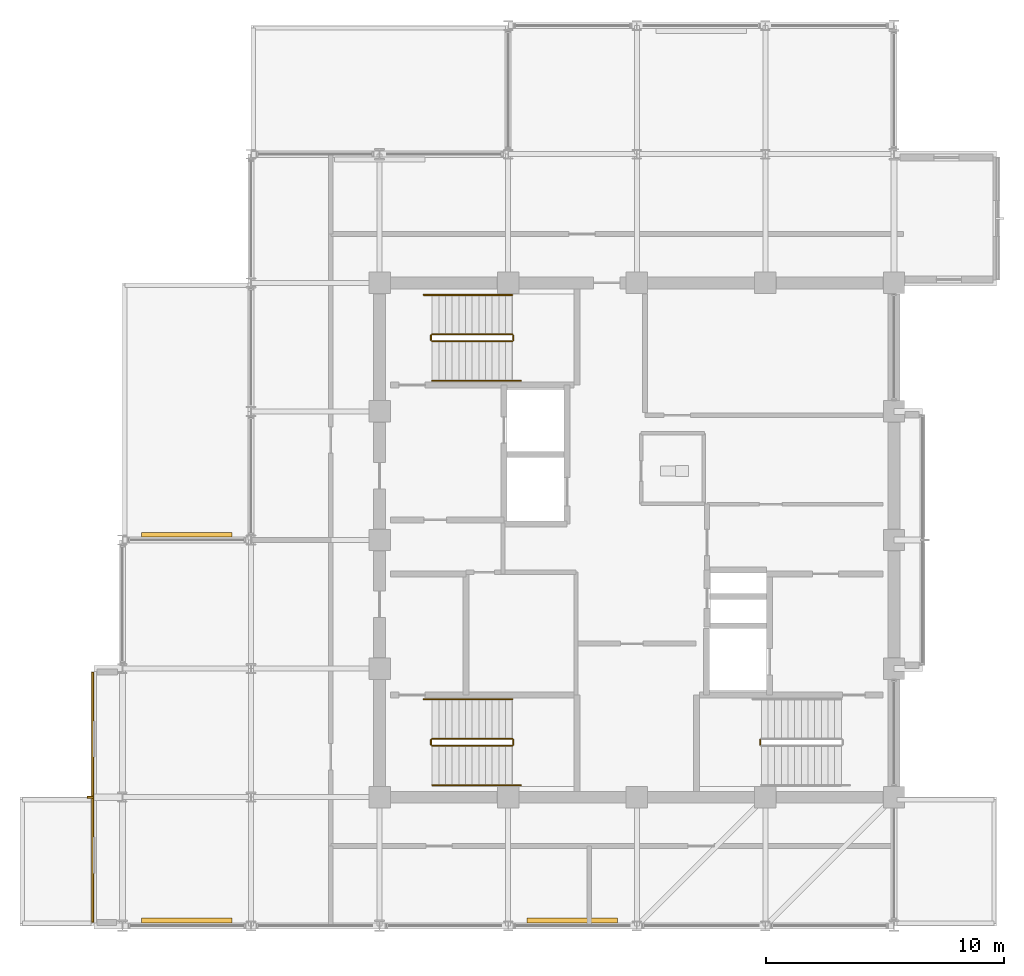
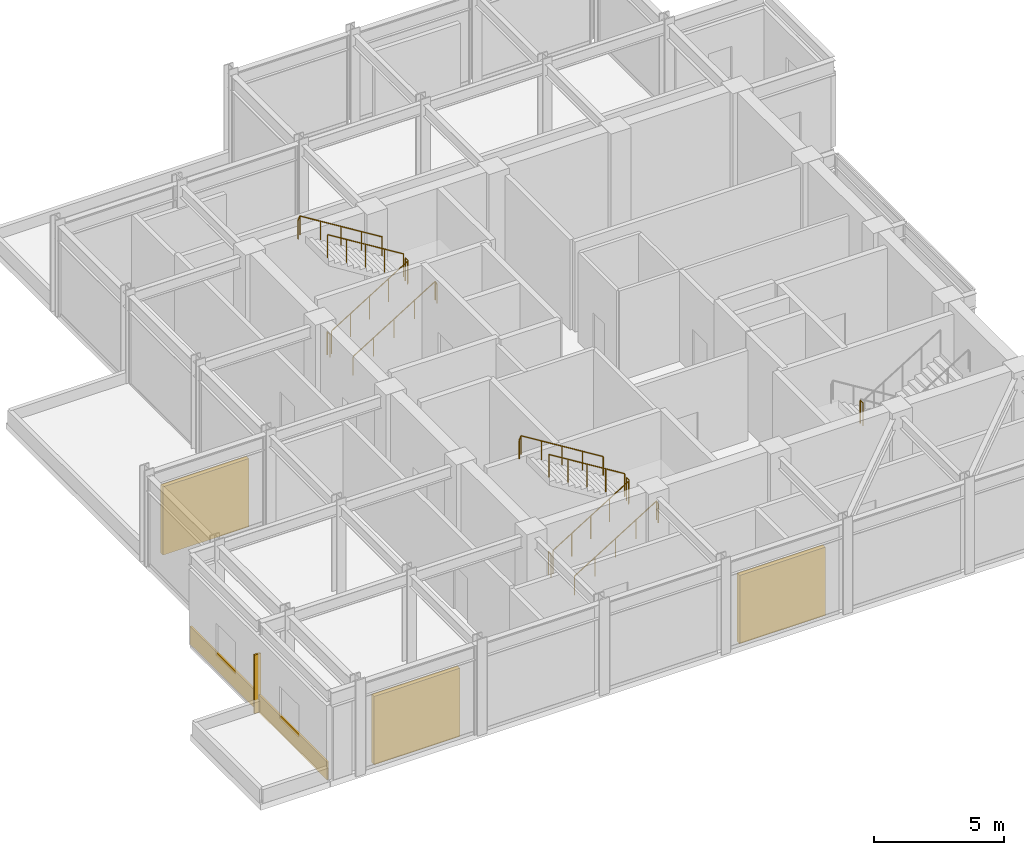
# One storey, part 18 of 21: 13 railings, 4 shading devices, 1 covering.
"""IFC4 building model written with IfcOpenShell, lengths in metres."""

from ifc_helpers import new_model, si_unit, direction, frame, origin, origin_2d, place, context, subcontext, project, spatial, rectangle, circle, extrude, material, layer, layer_set, type_object, element, save


model = new_model("IFC4")

# Units and contexts
model_context = context("Model", 3, precision=1e-05, world=origin(), true_north=direction((0.0, 1.0)))
body_context = subcontext(model_context, "Body", "Model", "MODEL_VIEW")
ifc_project = project(units=[si_unit("LENGTHUNIT", "METRE"), si_unit("AREAUNIT", "SQUARE_METRE"), si_unit("VOLUMEUNIT", "CUBIC_METRE"), si_unit("PLANEANGLEUNIT", "RADIAN"), si_unit("MASSUNIT", "GRAM", prefix="KILO")], contexts=[model_context])

# Site, building, storey
site_placement = place(None, origin())
site = spatial("IfcSite", under=ifc_project, at=site_placement, CompositionType="ELEMENT")
building_placement = place(site_placement, origin())
building = spatial("IfcBuilding", under=site, at=building_placement, Name="Surkhivell Harbour Commons", CompositionType="ELEMENT")
storey_placement = place(building_placement, frame((0.0, 0.0, 346.5)))
storey = spatial("IfcBuildingStorey", under=building, at=storey_placement, Name="L90", CompositionType="ELEMENT", Elevation=346.5)

# Covering
ifc_material_1 = material(Name="Vermilion-coral enamelled aluminium cassette panel", Category="aluminium")
ifc_layer = layer(ifc_material_1, 0.074951171875)
ifc_layer_set = layer_set([ifc_layer], Name="Vermilion-coral enamelled aluminium cassette panel")
covering_type = type_object("IfcCoveringType", Name="COV-CLAD-VER", PredefinedType="CLADDING", material=ifc_layer_set)
covering_placement = place(storey_placement, frame((-22.840087890625, -10.800048828125, 0.0), z_axis=(0.0, 0.0, 1.0), x_axis=(1.0, 0.0, 0.0)))
element("IfcCovering", 1, at=covering_placement, inside=storey, type_object=covering_type, Name="L90 Coloured-Panel Box Spandrel Cassette 03", PredefinedType="CLADDING", context=body_context, shape_type="SweptSolid", body=[
    extrude(rectangle(XDim=0.080078125, YDim=10.5, at=origin_2d()), origin(), (0.0, 0.0, 1.0), 0.840087890625),
])

# Railings
ifc_material_2 = material(Name="Galvanised and painted steel S355 guard rail", Category="steel")
railing_type_1 = type_object("IfcRailingType", Name="RAL-ST-GRD1100", PredefinedType="GUARDRAIL", material=ifc_material_2)
railing_1_placement = place(storey_placement, frame((-8.590087890625, 8.340087890625, 0.173095703125)))
element("IfcRailing", 2, at=railing_1_placement, inside=storey, type_object=railing_type_1, Name="L90 ST1 stair guard 1", PredefinedType="GUARDRAIL", context=body_context, shape_type="SweptSolid", body=[
    extrude(circle(Radius=0.02392578125, at=origin_2d()), frame((0.0, 0.0, 1.076171875), z_axis=(0.850623216509, 0.0, 0.525775754039), x_axis=(0.0, 1.0, 0.0)), (0.0, 0.0, 1.0), 3.9501953125),
    extrude(circle(Radius=0.02099609375, at=origin_2d()), origin(), (0.0, 0.0, 1.0), 1.052001953125),
    extrude(circle(Radius=0.02099609375, at=origin_2d()), frame((0.840087890625, 0.0, 0.519287109375)), (0.0, 0.0, 1.0), 1.052001953125),
    extrude(circle(Radius=0.02099609375, at=origin_2d()), frame((1.68017578125, 0.0, 1.03857421875)), (0.0, 0.0, 1.0), 1.052001953125),
    extrude(circle(Radius=0.02099609375, at=origin_2d()), frame((2.52001953125, 0.0, 1.5576171875)), (0.0, 0.0, 1.0), 1.052001953125),
    extrude(circle(Radius=0.02099609375, at=origin_2d()), frame((3.360107421875, 0.0, 2.076904296875)), (0.0, 0.0, 1.0), 1.052001953125),
])
railing_2_placement = place(storey_placement, frame((-5.179931640625, 8.389892578125, 2.25)))
element("IfcRailing", 3, at=railing_2_placement, inside=storey, type_object=railing_type_1, Name="L90 ST1 stair guard 2", PredefinedType="GUARDRAIL", context=body_context, shape_type="SweptSolid", body=[
    extrude(circle(Radius=0.02392578125, at=origin_2d()), frame((0.0, 0.0, 1.076171875), z_axis=(0.0, 1.0, 0.0), x_axis=(-1.0, 0.0, 0.0)), (0.0, 0.0, 1.0), 0.2001953125),
    extrude(circle(Radius=0.02099609375, at=origin_2d()), origin(), (0.0, 0.0, 1.0), 1.052001953125),
    extrude(circle(Radius=0.02099609375, at=origin_2d()), frame((0.0, 0.2001953125, 0.0)), (0.0, 0.0, 1.0), 1.052001953125),
])
railing_3_placement = place(storey_placement, frame((-5.22998046875, 8.639892578125, 2.423095703125)))
element("IfcRailing", 4, at=railing_3_placement, inside=storey, type_object=railing_type_1, Name="L90 ST1 stair guard 3", PredefinedType="GUARDRAIL", context=body_context, shape_type="SweptSolid", body=[
    extrude(circle(Radius=0.02392578125, at=origin_2d()), frame((0.0, 0.0, 1.076171875), z_axis=(-0.850623216509, 0.0, 0.525775754039), x_axis=(0.0, -1.0, 0.0)), (0.0, 0.0, 1.0), 3.9501953125),
    extrude(circle(Radius=0.02099609375, at=origin_2d()), origin(), (0.0, 0.0, 1.0), 1.052001953125),
    extrude(circle(Radius=0.02099609375, at=origin_2d()), frame((-0.840087890625, 0.0, 0.519287109375)), (0.0, 0.0, 1.0), 1.052001953125),
    extrude(circle(Radius=0.02099609375, at=origin_2d()), frame((-1.68017578125, 0.0, 1.03857421875)), (0.0, 0.0, 1.0), 1.052001953125),
    extrude(circle(Radius=0.02099609375, at=origin_2d()), frame((-2.52001953125, 0.0, 1.5576171875)), (0.0, 0.0, 1.0), 1.052001953125),
    extrude(circle(Radius=0.02099609375, at=origin_2d()), frame((-3.360107421875, 0.0, 2.076904296875)), (0.0, 0.0, 1.0), 1.052001953125),
])
railing_4_placement = place(storey_placement, frame((-8.639892578125, 8.389892578125, 0.0)))
element("IfcRailing", 5, at=railing_4_placement, inside=storey, type_object=railing_type_1, Name="L90 ST1 stair guard 4", PredefinedType="GUARDRAIL", context=body_context, shape_type="SweptSolid", body=[
    extrude(circle(Radius=0.02392578125, at=origin_2d()), frame((0.0, 0.0, 1.076171875), z_axis=(0.0, 1.0, 0.0), x_axis=(-1.0, 0.0, 0.0)), (0.0, 0.0, 1.0), 0.2001953125),
    extrude(circle(Radius=0.02099609375, at=origin_2d()), origin(), (0.0, 0.0, 1.0), 1.052001953125),
    extrude(circle(Radius=0.02099609375, at=origin_2d()), frame((0.0, 0.2001953125, 0.0)), (0.0, 0.0, 1.0), 1.052001953125),
])
railing_5_placement = place(storey_placement, frame((5.179931640625, -8.389892578125, 2.25)))
element("IfcRailing", 6, at=railing_5_placement, inside=storey, type_object=railing_type_1, Name="L90 ST2 stair guard 2", PredefinedType="GUARDRAIL", context=body_context, shape_type="SweptSolid", body=[
    extrude(circle(Radius=0.02392578125, at=origin_2d()), frame((0.0, 0.0, 1.076171875), z_axis=(0.0, -1.0, 0.0), x_axis=(1.0, 0.0, 0.0)), (0.0, 0.0, 1.0), 0.2001953125),
    extrude(circle(Radius=0.02099609375, at=origin_2d()), origin(), (0.0, 0.0, 1.0), 1.052001953125),
    extrude(circle(Radius=0.02099609375, at=origin_2d()), frame((0.0, -0.2001953125, 0.0)), (0.0, 0.0, 1.0), 1.052001953125),
])
railing_6_placement = place(storey_placement, frame((-8.590087890625, -8.639892578125, 0.173095703125)))
element("IfcRailing", 7, at=railing_6_placement, inside=storey, type_object=railing_type_1, Name="L90 ST3 stair guard 1", PredefinedType="GUARDRAIL", context=body_context, shape_type="SweptSolid", body=[
    extrude(circle(Radius=0.02392578125, at=origin_2d()), frame((0.0, 0.0, 1.076171875), z_axis=(0.850623216509, 0.0, 0.525775754039), x_axis=(0.0, 1.0, 0.0)), (0.0, 0.0, 1.0), 3.9501953125),
    extrude(circle(Radius=0.02099609375, at=origin_2d()), origin(), (0.0, 0.0, 1.0), 1.052001953125),
    extrude(circle(Radius=0.02099609375, at=origin_2d()), frame((0.840087890625, 0.0, 0.519287109375)), (0.0, 0.0, 1.0), 1.052001953125),
    extrude(circle(Radius=0.02099609375, at=origin_2d()), frame((1.68017578125, 0.0, 1.03857421875)), (0.0, 0.0, 1.0), 1.052001953125),
    extrude(circle(Radius=0.02099609375, at=origin_2d()), frame((2.52001953125, 0.0, 1.5576171875)), (0.0, 0.0, 1.0), 1.052001953125),
    extrude(circle(Radius=0.02099609375, at=origin_2d()), frame((3.360107421875, 0.0, 2.076904296875)), (0.0, 0.0, 1.0), 1.052001953125),
])
railing_7_placement = place(storey_placement, frame((-5.179931640625, -8.590087890625, 2.25)))
element("IfcRailing", 8, at=railing_7_placement, inside=storey, type_object=railing_type_1, Name="L90 ST3 stair guard 2", PredefinedType="GUARDRAIL", context=body_context, shape_type="SweptSolid", body=[
    extrude(circle(Radius=0.02392578125, at=origin_2d()), frame((0.0, 0.0, 1.076171875), z_axis=(0.0, 1.0, 0.0), x_axis=(-1.0, 0.0, 0.0)), (0.0, 0.0, 1.0), 0.2001953125),
    extrude(circle(Radius=0.02099609375, at=origin_2d()), origin(), (0.0, 0.0, 1.0), 1.052001953125),
    extrude(circle(Radius=0.02099609375, at=origin_2d()), frame((0.0, 0.2001953125, 0.0)), (0.0, 0.0, 1.0), 1.052001953125),
])
railing_8_placement = place(storey_placement, frame((-5.22998046875, -8.340087890625, 2.423095703125)))
element("IfcRailing", 9, at=railing_8_placement, inside=storey, type_object=railing_type_1, Name="L90 ST3 stair guard 3", PredefinedType="GUARDRAIL", context=body_context, shape_type="SweptSolid", body=[
    extrude(circle(Radius=0.02392578125, at=origin_2d()), frame((0.0, 0.0, 1.076171875), z_axis=(-0.850623216509, 0.0, 0.525775754039), x_axis=(0.0, -1.0, 0.0)), (0.0, 0.0, 1.0), 3.9501953125),
    extrude(circle(Radius=0.02099609375, at=origin_2d()), origin(), (0.0, 0.0, 1.0), 1.052001953125),
    extrude(circle(Radius=0.02099609375, at=origin_2d()), frame((-0.840087890625, 0.0, 0.519287109375)), (0.0, 0.0, 1.0), 1.052001953125),
    extrude(circle(Radius=0.02099609375, at=origin_2d()), frame((-1.68017578125, 0.0, 1.03857421875)), (0.0, 0.0, 1.0), 1.052001953125),
    extrude(circle(Radius=0.02099609375, at=origin_2d()), frame((-2.52001953125, 0.0, 1.5576171875)), (0.0, 0.0, 1.0), 1.052001953125),
    extrude(circle(Radius=0.02099609375, at=origin_2d()), frame((-3.360107421875, 0.0, 2.076904296875)), (0.0, 0.0, 1.0), 1.052001953125),
])
railing_9_placement = place(storey_placement, frame((-8.639892578125, -8.590087890625, 0.0)))
element("IfcRailing", 10, at=railing_9_placement, inside=storey, type_object=railing_type_1, Name="L90 ST3 stair guard 4", PredefinedType="GUARDRAIL", context=body_context, shape_type="SweptSolid", body=[
    extrude(circle(Radius=0.02392578125, at=origin_2d()), frame((0.0, 0.0, 1.076171875), z_axis=(0.0, 1.0, 0.0), x_axis=(-1.0, 0.0, 0.0)), (0.0, 0.0, 1.0), 0.2001953125),
    extrude(circle(Radius=0.02099609375, at=origin_2d()), origin(), (0.0, 0.0, 1.0), 1.052001953125),
    extrude(circle(Radius=0.02099609375, at=origin_2d()), frame((0.0, 0.2001953125, 0.0)), (0.0, 0.0, 1.0), 1.052001953125),
])
ifc_material_3 = material(Name="Brushed stainless steel S355 handrail", Category="steel")
railing_type_2 = type_object("IfcRailingType", Name="RAL-ST-HND900", PredefinedType="HANDRAIL", material=ifc_material_3)
railing_10_placement = place(storey_placement, frame((-8.590087890625, 6.68994140625, 0.173095703125)))
element("IfcRailing", 11, at=railing_10_placement, inside=storey, type_object=railing_type_2, Name="L90 ST1 stair handrail 1", PredefinedType="HANDRAIL", context=body_context, shape_type="SweptSolid", body=[
    extrude(circle(Radius=0.02392578125, at=origin_2d()), frame((0.0, 0.0, 0.8759765625), z_axis=(0.850622404505, 0.0, 0.525777067734), x_axis=(0.0, 1.0, 0.0)), (0.0, 0.0, 1.0), 4.279296875),
    extrude(circle(Radius=0.02392578125, at=origin_2d()), frame((3.64013671875, 0.0, 3.1259765625), z_axis=(0.418814502111, 0.0, -0.908071810388), x_axis=(0.0, 1.0, 0.0)), (0.0, 0.0, 1.0), 0.190673828125),
    extrude(circle(Radius=0.02099609375, at=origin_2d()), origin(), (0.0, 0.0, 1.0), 0.851806640625),
    extrude(circle(Radius=0.02099609375, at=origin_2d()), frame((0.91015625, 0.0, 0.5625)), (0.0, 0.0, 1.0), 0.851806640625),
    extrude(circle(Radius=0.02099609375, at=origin_2d()), frame((1.820068359375, 0.0, 1.125)), (0.0, 0.0, 1.0), 0.851806640625),
    extrude(circle(Radius=0.02099609375, at=origin_2d()), frame((2.72998046875, 0.0, 1.6875)), (0.0, 0.0, 1.0), 0.851806640625),
    extrude(circle(Radius=0.02099609375, at=origin_2d()), frame((3.64013671875, 0.0, 2.25)), (0.0, 0.0, 1.0), 0.851806640625),
    extrude(circle(Radius=0.02099609375, at=origin_2d()), frame((3.719970703125, 0.0, 2.076904296875)), (0.0, 0.0, 1.0), 0.851806640625),
])
railing_11_placement = place(storey_placement, frame((-5.22998046875, 10.2900390625, 2.423095703125)))
element("IfcRailing", 12, at=railing_11_placement, inside=storey, type_object=railing_type_2, Name="L90 ST1 stair handrail 2", PredefinedType="HANDRAIL", context=body_context, shape_type="SweptSolid", body=[
    extrude(circle(Radius=0.02392578125, at=origin_2d()), frame((0.0, 0.0, 0.8759765625), z_axis=(-0.850622404505, 0.0, 0.525777067734), x_axis=(0.0, -1.0, 0.0)), (0.0, 0.0, 1.0), 4.279296875),
    extrude(circle(Radius=0.02392578125, at=origin_2d()), frame((-3.64013671875, 0.0, 3.1259765625), z_axis=(-0.418814502111, 0.0, -0.908071810388), x_axis=(0.0, -1.0, 0.0)), (0.0, 0.0, 1.0), 0.190673828125),
    extrude(circle(Radius=0.02099609375, at=origin_2d()), origin(), (0.0, 0.0, 1.0), 0.851806640625),
    extrude(circle(Radius=0.02099609375, at=origin_2d()), frame((-0.91015625, 0.0, 0.5625)), (0.0, 0.0, 1.0), 0.851806640625),
    extrude(circle(Radius=0.02099609375, at=origin_2d()), frame((-1.820068359375, 0.0, 1.125)), (0.0, 0.0, 1.0), 0.851806640625),
    extrude(circle(Radius=0.02099609375, at=origin_2d()), frame((-2.72998046875, 0.0, 1.6875)), (0.0, 0.0, 1.0), 0.851806640625),
    extrude(circle(Radius=0.02099609375, at=origin_2d()), frame((-3.64013671875, 0.0, 2.25)), (0.0, 0.0, 1.0), 0.851806640625),
    extrude(circle(Radius=0.02099609375, at=origin_2d()), frame((-3.719970703125, 0.0, 2.076904296875)), (0.0, 0.0, 1.0), 0.851806640625),
])
railing_12_placement = place(storey_placement, frame((-8.590087890625, -10.2900390625, 0.173095703125)))
element("IfcRailing", 13, at=railing_12_placement, inside=storey, type_object=railing_type_2, Name="L90 ST3 stair handrail 1", PredefinedType="HANDRAIL", context=body_context, shape_type="SweptSolid", body=[
    extrude(circle(Radius=0.02392578125, at=origin_2d()), frame((0.0, 0.0, 0.8759765625), z_axis=(0.850622404505, 0.0, 0.525777067734), x_axis=(0.0, 1.0, 0.0)), (0.0, 0.0, 1.0), 4.279296875),
    extrude(circle(Radius=0.02392578125, at=origin_2d()), frame((3.64013671875, 0.0, 3.1259765625), z_axis=(0.418814502111, 0.0, -0.908071810388), x_axis=(0.0, 1.0, 0.0)), (0.0, 0.0, 1.0), 0.190673828125),
    extrude(circle(Radius=0.02099609375, at=origin_2d()), origin(), (0.0, 0.0, 1.0), 0.851806640625),
    extrude(circle(Radius=0.02099609375, at=origin_2d()), frame((0.91015625, 0.0, 0.5625)), (0.0, 0.0, 1.0), 0.851806640625),
    extrude(circle(Radius=0.02099609375, at=origin_2d()), frame((1.820068359375, 0.0, 1.125)), (0.0, 0.0, 1.0), 0.851806640625),
    extrude(circle(Radius=0.02099609375, at=origin_2d()), frame((2.72998046875, 0.0, 1.6875)), (0.0, 0.0, 1.0), 0.851806640625),
    extrude(circle(Radius=0.02099609375, at=origin_2d()), frame((3.64013671875, 0.0, 2.25)), (0.0, 0.0, 1.0), 0.851806640625),
    extrude(circle(Radius=0.02099609375, at=origin_2d()), frame((3.719970703125, 0.0, 2.076904296875)), (0.0, 0.0, 1.0), 0.851806640625),
])
railing_13_placement = place(storey_placement, frame((-5.22998046875, -6.68994140625, 2.423095703125)))
element("IfcRailing", 14, at=railing_13_placement, inside=storey, type_object=railing_type_2, Name="L90 ST3 stair handrail 2", PredefinedType="HANDRAIL", context=body_context, shape_type="SweptSolid", body=[
    extrude(circle(Radius=0.02392578125, at=origin_2d()), frame((0.0, 0.0, 0.8759765625), z_axis=(-0.850622404505, 0.0, 0.525777067734), x_axis=(0.0, -1.0, 0.0)), (0.0, 0.0, 1.0), 4.279296875),
    extrude(circle(Radius=0.02392578125, at=origin_2d()), frame((-3.64013671875, 0.0, 3.1259765625), z_axis=(-0.418814502111, 0.0, -0.908071810388), x_axis=(0.0, -1.0, 0.0)), (0.0, 0.0, 1.0), 0.190673828125),
    extrude(circle(Radius=0.02099609375, at=origin_2d()), origin(), (0.0, 0.0, 1.0), 0.851806640625),
    extrude(circle(Radius=0.02099609375, at=origin_2d()), frame((-0.91015625, 0.0, 0.5625)), (0.0, 0.0, 1.0), 0.851806640625),
    extrude(circle(Radius=0.02099609375, at=origin_2d()), frame((-1.820068359375, 0.0, 1.125)), (0.0, 0.0, 1.0), 0.851806640625),
    extrude(circle(Radius=0.02099609375, at=origin_2d()), frame((-2.72998046875, 0.0, 1.6875)), (0.0, 0.0, 1.0), 0.851806640625),
    extrude(circle(Radius=0.02099609375, at=origin_2d()), frame((-3.64013671875, 0.0, 2.25)), (0.0, 0.0, 1.0), 0.851806640625),
    extrude(circle(Radius=0.02099609375, at=origin_2d()), frame((-3.719970703125, 0.0, 2.076904296875)), (0.0, 0.0, 1.0), 0.851806640625),
])

# Shading devices
ifc_material_4 = material(Name="Champagne anodised aluminium solar fin", Category="aluminium")
shading_device_type_1 = type_object("IfcShadingDeviceType", Name="SHD-FIN-SLIM", PredefinedType="USERDEFINED", material=ifc_material_4)
shading_device_placement = place(storey_placement, frame((-22.93994140625, -10.800048828125, 0.0048828125), z_axis=(0.0, 0.0, 1.0), x_axis=(1.0, 0.0, 0.0)))
element("IfcShadingDevice", 15, at=shading_device_placement, inside=storey, type_object=shading_device_type_1, Name="L90 Coloured-Box Solar Fin 03", ObjectType="FIN", PredefinedType="USERDEFINED", context=body_context, shape_type="SweptSolid", body=[
    extrude(rectangle(XDim=0.280029296875, YDim=0.080078125, at=origin_2d()), origin(), (0.0, 0.0, 1.0), 2.75),
])
ifc_material_5 = material(Name="Crown pale-metal storm louvre assembly", Category="aluminium")
shading_device_type_2 = type_object("IfcShadingDeviceType", Name="SHD-LOUV-CRN", PredefinedType="JALOUSIE", material=ifc_material_5)
for number, where, z_axis, x_axis, name in (
    (16, (-18.89990234375, 0.219970703125, 0.0), (0.0, 0.0, 1.0), (1.0, 0.0, 0.0), "L90 Crown Acoustic Louvre Screen 03"),
    (17, (-18.89990234375, -15.97998046875, 0.0), (0.0, 0.0, 1.0), (1.0, 0.0, 0.0), "L90 Crown Acoustic Louvre Screen 05"),
    (18, (-2.699951171875, -15.97998046875, 0.0), (0.0, 0.0, 1.0), (1.0, 0.0, 0.0), "L90 Crown Acoustic Louvre Screen 06"),
):
    element("IfcShadingDevice", number, at=place(storey_placement, frame(where, z_axis=z_axis, x_axis=x_axis)), inside=storey, type_object=shading_device_type_2, Name=name, PredefinedType="JALOUSIE", context=body_context, shape_type="SweptSolid", body=[
        extrude(rectangle(XDim=3.800048828125, YDim=0.199951171875, at=origin_2d()), origin(), (0.0, 0.0, 1.0), 3.199951171875),
    ])

save(model, "model.ifc")
